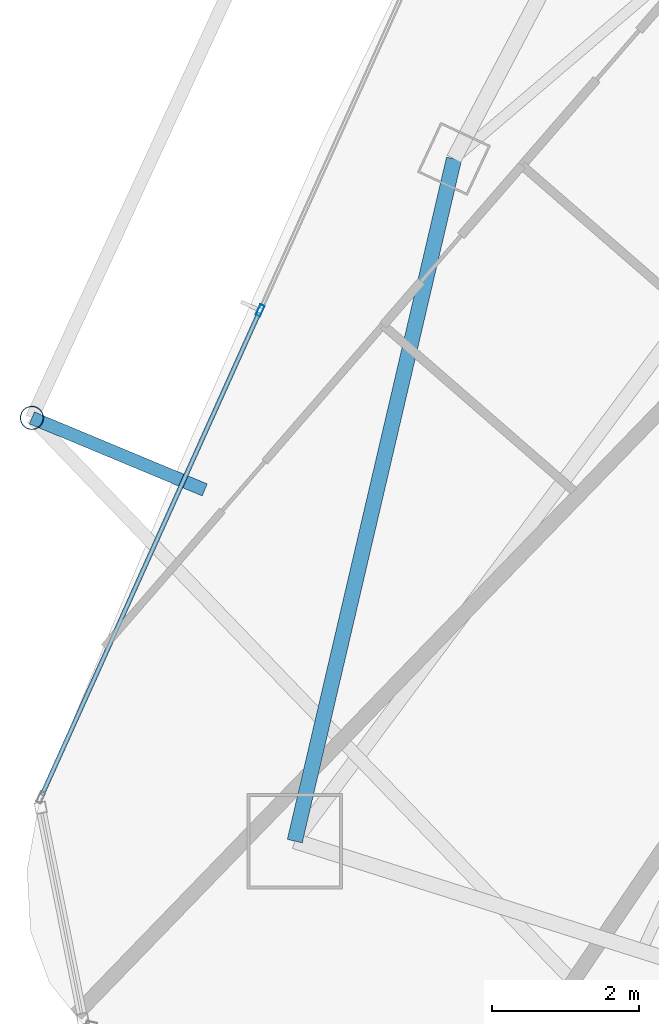
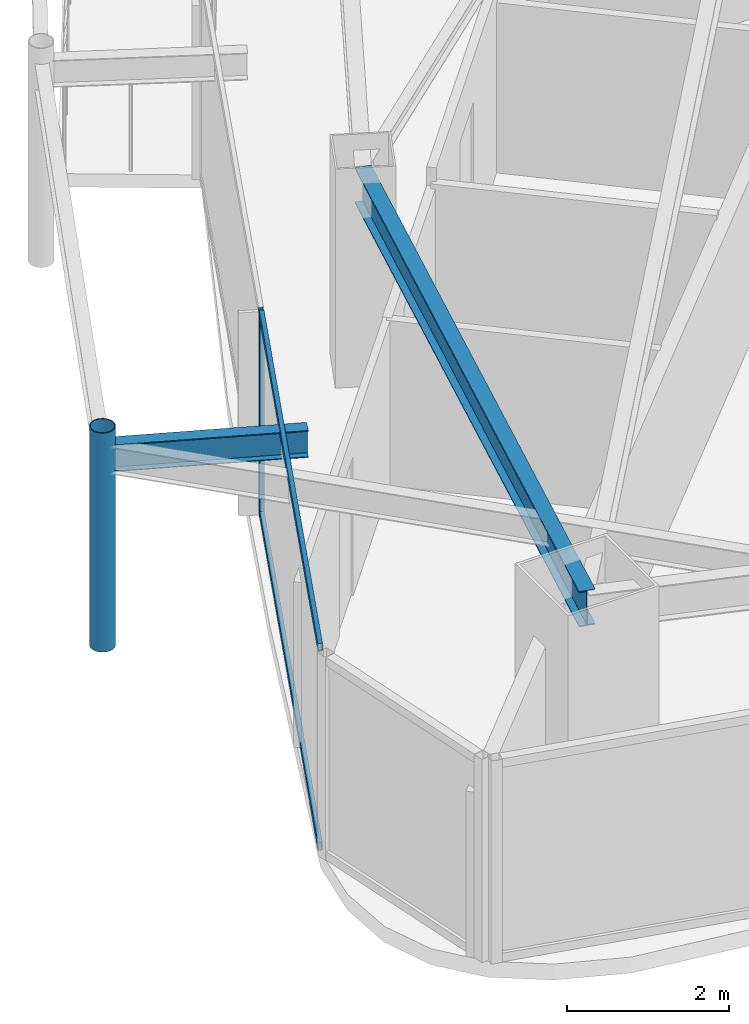
# One storey, part 5 of 29: 4 members, 2 beams, 1 element without a shape of its own.
"""IFC4 building model written with IfcOpenShell, lengths in metres."""

import ifcopenshell
import ifcopenshell.guid

model = None  # the IFC model being written
_history = None  # IfcOwnerHistory: only IFC2X3 demands one
_inside = {}  # id of a spatial element -> (the spatial element, [elements in it])
_under = {}  # id of a project, library or spatial element -> (it, [spatial elements below it])
_declared = {}  # id of a project -> (the project, [libraries it declares])
_typed = {}  # id of a type object -> (the type object, [elements of that type])
_made_of = {}  # id of a material, layer set ... -> (it, [elements and type objects made of it])


def new_model(schema):
    """Start an empty IFC model of exactly this schema.

    Asked for "IFC4X3", IfcOpenShell would pick the latest addendum, in which some entities
    have other attributes; the version numbers below select the first issue.
    IFC2X3 requires an IfcOwnerHistory on every rooted entity: one is made here for all.
    """
    global model, _history
    if schema == "IFC4X3":
        model = ifcopenshell.file(schema_version=(4, 3, 0, 0))
    else:
        model = ifcopenshell.file(schema=schema)
    _inside.clear()
    _under.clear()
    _declared.clear()
    _typed.clear()
    _made_of.clear()
    _history = None
    if model.schema == "IFC2X3":
        org = make("IfcOrganization", Name="unknown")
        user = make(
            "IfcPersonAndOrganization",
            ThePerson=make("IfcPerson", FamilyName="unknown"),
            TheOrganization=org,
        )
        app = make(
            "IfcApplication",
            ApplicationDeveloper=org,
            Version="unknown",
            ApplicationFullName="unknown",
            ApplicationIdentifier="unknown",
        )
        _history = make(
            "IfcOwnerHistory",
            OwningUser=user,
            OwningApplication=app,
            ChangeAction="ADDED",
            CreationDate=0,
        )
    return model


def make(cls, **values):
    """One entity of the class cls with the attributes given. An attribute that is None is left unset."""
    return model.create_entity(
        cls, **{name: value for name, value in values.items() if value is not None}
    )


def rooted(cls, **values):
    """An entity with a GlobalId (a new one), such as an element, a storey or a relation."""
    return make(cls, GlobalId=ifcopenshell.guid.new(), OwnerHistory=_history, **values)


def si_unit(unit_type, name, prefix=None):
    """IfcSIUnit, for example si_unit("LENGTHUNIT", "METRE", prefix="MILLI")."""
    return make("IfcSIUnit", UnitType=unit_type, Prefix=prefix, Name=name)


def assignment(units):
    """IfcUnitAssignment: the units of a project."""
    return None if units is None else make("IfcUnitAssignment", Units=units)


def point(xyz):
    """IfcCartesianPoint."""
    return None if xyz is None else make("IfcCartesianPoint", Coordinates=xyz)


def direction(xyz):
    """IfcDirection."""
    return None if xyz is None else make("IfcDirection", DirectionRatios=xyz)


def frame(location, z_axis=None, x_axis=None):
    """IfcAxis2Placement3D, a coordinate frame: its origin and axes. An axis left out is left unset."""
    return make(
        "IfcAxis2Placement3D",
        Location=point(location),
        Axis=direction(z_axis),
        RefDirection=direction(x_axis),
    )


def frame_2d(location, x_axis=None):
    """IfcAxis2Placement2D, a coordinate frame in the plane: its origin and x axis."""
    return make(
        "IfcAxis2Placement2D", Location=point(location), RefDirection=direction(x_axis)
    )


def origin():
    """The frame at (0, 0, 0) with its axes left unset."""
    return frame((0.0, 0.0, 0.0))


def origin_2d():
    """The frame at (0, 0) in the plane with its x axis left unset."""
    return frame_2d((0.0, 0.0))


def place(relative_to, where):
    """IfcLocalPlacement: puts the frame where relative to a parent placement (None: the world)."""
    return make(
        "IfcLocalPlacement", PlacementRelTo=relative_to, RelativePlacement=where
    )


def context(
    kind, dimensions, precision=None, world=None, true_north=None, identifier=None
):
    """IfcGeometricRepresentationContext, for example the 3D "Model" context."""
    return make(
        "IfcGeometricRepresentationContext",
        ContextIdentifier=identifier,
        ContextType=kind,
        CoordinateSpaceDimension=dimensions,
        Precision=precision,
        WorldCoordinateSystem=world,
        TrueNorth=true_north,
    )


def subcontext(parent, identifier, kind, view, scale=None):
    """IfcGeometricRepresentationSubContext, for example "Body" below "Model"."""
    return make(
        "IfcGeometricRepresentationSubContext",
        ContextIdentifier=identifier,
        ContextType=kind,
        ParentContext=parent,
        TargetScale=scale,
        TargetView=view,
    )


def project(units=None, contexts=None):
    """IfcProject with its units and contexts."""
    return rooted(
        "IfcProject",
        Name="project",
        RepresentationContexts=contexts,
        UnitsInContext=assignment(units),
    )


def spatial(cls, under=None, at=None, **own):
    """A site, building, storey or space (cls), placed at a placement, below another one or the project."""
    s = rooted(cls, ObjectPlacement=at, **own)
    if under is not None:
        _under.setdefault(under.id(), (under, []))[1].append(s)
    return s


def profile(cls, at=None, kind="AREA", **sizes):
    """A parametric profile (cls). Its sizes go by their IFC names, for example OverallWidth=200.0."""
    return make(cls, ProfileType=kind, Position=at, **sizes)


def hollow_rectangle(**sizes):
    """IfcRectangleHollowProfileDef."""
    return profile("IfcRectangleHollowProfileDef", **sizes)


def hollow_circle(**sizes):
    """IfcCircleHollowProfileDef."""
    return profile("IfcCircleHollowProfileDef", **sizes)


def i_section(**sizes):
    """IfcIShapeProfileDef."""
    return profile("IfcIShapeProfileDef", **sizes)


def extrude(swept, where, along, depth):
    """IfcExtrudedAreaSolid: the profile swept, set in the frame where, extruded along a direction by depth."""
    return make(
        "IfcExtrudedAreaSolid",
        SweptArea=swept,
        Position=where,
        ExtrudedDirection=direction(along),
        Depth=depth,
    )


def shape(context_of_items, identifier, shape_type, items):
    """IfcShapeRepresentation: the items that make up one representation, for example the "Body"."""
    return make(
        "IfcShapeRepresentation",
        ContextOfItems=context_of_items,
        RepresentationIdentifier=identifier,
        RepresentationType=shape_type,
        Items=items,
    )


def material(Name=None, Category=None):
    """IfcMaterial."""
    return make("IfcMaterial", Name=Name, Category=Category)


def layer(
    of_material, thickness, ventilated=None, Name=None, Category=None, Priority=None
):
    """IfcMaterialLayer: one layer of a wall or slab, of a material (None: an air gap)."""
    return make(
        "IfcMaterialLayer",
        Material=of_material,
        LayerThickness=thickness,
        IsVentilated=ventilated,
        Name=Name,
        Category=Category,
        Priority=Priority,
    )


def layer_set(layers, Name=None):
    """IfcMaterialLayerSet."""
    return make("IfcMaterialLayerSet", MaterialLayers=layers, LayerSetName=Name)


def material_profile(
    of_material, cross_section, Name=None, Category=None, Priority=None
):
    """IfcMaterialProfile: a cross section and its material."""
    return make(
        "IfcMaterialProfile",
        Name=Name,
        Material=of_material,
        Profile=cross_section,
        Priority=Priority,
        Category=Category,
    )


def profile_set(profiles, Name=None, composite=None):
    """IfcMaterialProfileSet."""
    return make(
        "IfcMaterialProfileSet",
        Name=Name,
        MaterialProfiles=profiles,
        CompositeProfile=composite,
    )


def made_of(thing, what):
    """Note that an element or type object is made of a material, layer set ...; save() writes the relation."""
    if what is not None:
        _made_of.setdefault(what.id(), (what, []))[1].append(thing)
    return thing


def type_object(cls, material=None, **own):
    """A type object (cls), such as IfcWallType, which elements share."""
    return made_of(rooted(cls, **own), material)


def element(
    cls,
    number,
    at=None,
    inside=None,
    cuts=None,
    type_object=None,
    material=None,
    context=None,
    identifier="Body",
    shape_type=None,
    held_by="IfcProductDefinitionShape",
    body=None,
    shapes=None,
    **own,
):
    """One element of the class cls, such as IfcWall. Its Tag is "e" and its number.

    at: its placement. inside: the storey or other place that contains it. cuts: it is an
    opening in that element (IfcRelVoidsElement). A single representation is given by context,
    identifier, shape_type and body (its items); several are given by shapes. held_by: the class
    of the entity that holds the representations. save() writes the other relations.
    """
    e = rooted(cls, Tag="e%d" % number, ObjectPlacement=at, **own)
    if body is not None:
        shapes = [shape(context, identifier, shape_type, body)]
    if shapes is not None:
        e.Representation = make(held_by, Representations=shapes)
    if inside is not None:
        _inside.setdefault(inside.id(), (inside, []))[1].append(e)
    if cuts is not None:
        rooted(
            "IfcRelVoidsElement", RelatingBuildingElement=cuts, RelatedOpeningElement=e
        )
    if type_object is not None:
        _typed.setdefault(type_object.id(), (type_object, []))[1].append(e)
    return made_of(e, material)


def aggregate(whole, parts):
    """IfcRelAggregates: a whole, such as a stair, and the parts it consists of."""
    return rooted("IfcRelAggregates", RelatingObject=whole, RelatedObjects=parts)


def save(model, path):
    """Write the relations noted so far, then the file.

    IfcRelAggregates (storeys below a building ...), IfcRelContainedInSpatialStructure (elements
    in a storey), IfcRelDefinesByType, IfcRelAssociatesMaterial and IfcRelDeclares: one each for
    every whole, place, type object, material and project.
    """
    for whole, parts in _under.values():
        aggregate(whole, parts)
    for where, things in _inside.values():
        rooted(
            "IfcRelContainedInSpatialStructure",
            RelatedElements=things,
            RelatingStructure=where,
        )
    for kind, things in _typed.values():
        rooted("IfcRelDefinesByType", RelatedObjects=things, RelatingType=kind)
    for what, things in _made_of.values():
        rooted("IfcRelAssociatesMaterial", RelatedObjects=things, RelatingMaterial=what)
    for by, libraries in _declared.values():
        rooted("IfcRelDeclares", RelatingContext=by, RelatedDefinitions=libraries)
    model.write(path)


model = new_model("IFC4")

# Units and contexts
model_context = context("Model", 3, precision=1e-05, world=origin(), true_north=direction((0.0, 1.0)))
body_context = subcontext(model_context, "Body", "Model", "MODEL_VIEW")
ifc_project = project(units=[si_unit("LENGTHUNIT", "METRE"), si_unit("AREAUNIT", "SQUARE_METRE"), si_unit("VOLUMEUNIT", "CUBIC_METRE"), si_unit("PLANEANGLEUNIT", "RADIAN"), si_unit("MASSUNIT", "GRAM", prefix="KILO")], contexts=[model_context])

# Site, building, storey
site_placement = place(None, origin())
site = spatial("IfcSite", under=ifc_project, at=site_placement, CompositionType="ELEMENT")
building_placement = place(site_placement, origin())
building = spatial("IfcBuilding", under=site, at=building_placement, Name="Orvanel Arch Residences", CompositionType="ELEMENT")
storey_placement = place(building_placement, frame((0.0, 0.0, 243.64990234375)))
storey = spatial("IfcBuildingStorey", under=building, at=storey_placement, Name="L69", CompositionType="ELEMENT", Elevation=243.64990234375)

# Curtain wall, member
ifc_material_1 = material(Name="Bronze-anodised aluminium AA6063-T6", Category="aluminium")
ifc_layer = layer(ifc_material_1, 0.175048828125)
ifc_layer_set = layer_set([ifc_layer], Name="Bronze-anodised aluminium AA6063-T6")
curtain_wall_type = type_object("IfcCurtainWallType", Name="CW4-HI-SYS", PredefinedType="NOTDEFINED", material=ifc_layer_set)
curtain_wall_placement = place(storey_placement, origin())
curtain_wall = element("IfcCurtainWall", 1, at=curtain_wall_placement, inside=storey, type_object=curtain_wall_type, Name="L69 CW4-HI-SYS Unitised Curtain Wall", PredefinedType="NOTDEFINED")
ifc_material_profile_1 = material_profile(ifc_material_1, hollow_rectangle(XDim=0.06494140625, YDim=0.159912109375, WallThickness=0.00390625, at=origin_2d()), Name="ALU160x65x4")
ifc_profile_set_1 = profile_set([ifc_material_profile_1], Name="Bronze-anodised aluminium AA6063-T6")
member_type_1 = type_object("IfcMemberType", Name="MUL-160x65", PredefinedType="MULLION", material=ifc_profile_set_1)
member_1_placement = place(storey_placement, frame((13.7275390625, 17.57861328125, 0.0), z_axis=(0.0, 0.0, 1.0), x_axis=(0.911827998826, -0.410572405987, 0.0)))
member_1 = element("IfcMember", 2, at=member_1_placement, type_object=member_type_1, Name="CW-S4 mullion 2", PredefinedType="MULLION", context=body_context, shape_type="SweptSolid", body=[
    extrude(hollow_rectangle(XDim=0.06494140625, YDim=0.159912109375, WallThickness=0.00390625, at=origin_2d()), origin(), (0.0, 0.0, 1.0), 3.06005859375),
])

# Beams
ifc_material_2 = material(Name="Structural steel AS/NZS 3679.1 Grade 300 (300 MPa)", Category="steel")
ifc_material_profile_2 = material_profile(ifc_material_2, i_section(OverallWidth=0.177978515625, OverallDepth=0.406005859375, WebThickness=0.0078125, FlangeThickness=0.0126953125, at=origin_2d()), Name="410UB59.7")
ifc_profile_set_2 = profile_set([ifc_material_profile_2], Name="Structural steel AS/NZS 3679.1 Grade 300 (300 MPa)")
beam_type_1 = type_object("IfcBeamType", Name="OB-410UB-EXT", PredefinedType="SPANDREL", material=ifc_profile_set_2)
beam_1_placement = place(storey_placement, frame((12.972900390625, 15.134033203125, 2.857177734375), z_axis=(-0.923059928109, 0.38465617, 0.0), x_axis=(-0.38465617, -0.923059928109, 0.0)))
element("IfcBeam", 3, at=beam_1_placement, inside=storey, type_object=beam_type_1, Name="L69 Outer Frame Radial Tie Beam 04", PredefinedType="SPANDREL", context=body_context, shape_type="SweptSolid", body=[
    extrude(i_section(OverallWidth=0.177978515625, OverallDepth=0.406005859375, WebThickness=0.0078125, FlangeThickness=0.0126953125, at=origin_2d()), origin(), (0.0, 0.0, 1.0), 2.55029296875),
])
ifc_material_profile_3 = material_profile(ifc_material_2, i_section(OverallWidth=0.208984375, OverallDepth=0.532958984375, WebThickness=0.01025390625, FlangeThickness=0.015625, at=origin_2d()), Name="530UB92.4")
ifc_profile_set_3 = profile_set([ifc_material_profile_3], Name="Structural steel AS/NZS 3679.1 Grade 300 (300 MPa)")
beam_type_2 = type_object("IfcBeamType", Name="SP-530UB", PredefinedType="SPANDREL", material=ifc_profile_set_3)
beam_2_placement = place(storey_placement, frame((16.366943359375, 19.64208984375, 2.794189453125), z_axis=(-0.227236087167, -0.973839699688, 0.0), x_axis=(0.973839699688, -0.227236087167, 0.0)))
element("IfcBeam", 4, at=beam_2_placement, inside=storey, type_object=beam_type_2, Name="L69 Perimeter Spandrel Beam 01", PredefinedType="SPANDREL", context=body_context, shape_type="SweptSolid", body=[
    extrude(i_section(OverallWidth=0.208984375, OverallDepth=0.532958984375, WebThickness=0.01025390625, FlangeThickness=0.015625, at=origin_2d()), origin(), (0.0, 0.0, 1.0), 9.54052734375),
])

# Member
ifc_material_3 = material(Name="Structural steel AS/NZS 1163 C350L0 (Grade 350)", Category="steel")
ifc_material_profile_4 = material_profile(ifc_material_3, hollow_circle(Radius=0.162109375, WallThickness=0.0126953125, at=origin_2d()), Name="CHS324x12.7")
ifc_profile_set_4 = profile_set([ifc_material_profile_4], Name="Structural steel AS/NZS 1163 C350L0 (Grade 350)")
member_type_2 = type_object("IfcMemberType", Name="ST-324CHS-EXT", PredefinedType="STRUT", material=ifc_profile_set_4)
member_2_placement = place(storey_placement, frame((10.618896484375, 16.114990234375, 0.0), z_axis=(0.0, 0.0, 1.0), x_axis=(1.0, 0.0, 0.0)))
element("IfcMember", 5, at=member_2_placement, inside=storey, type_object=member_type_2, Name="L69 Outer Perimeter Frame Post 04", PredefinedType="STRUT", context=body_context, shape_type="SweptSolid", body=[
    extrude(hollow_circle(Radius=0.162109375, WallThickness=0.0126953125, at=origin_2d()), origin(), (0.0, 0.0, 1.0), 3.300048828125),
])

ifc_material_profile_5 = material_profile(ifc_material_1, hollow_rectangle(XDim=0.06005859375, YDim=0.1201171875, WallThickness=0.00341796875, at=origin_2d()), Name="ALU120x60x3.5")
ifc_profile_set_5 = profile_set([ifc_material_profile_5], Name="Bronze-anodised aluminium AA6063-T6")
member_type_3 = type_object("IfcMemberType", Name="TRN-120x60", PredefinedType="USERDEFINED", material=ifc_profile_set_5)
member_3_placement = place(storey_placement, frame((13.714111328125, 17.548828125, 0.030029296875), z_axis=(-0.410577324573, -0.911825784098, 0.0), x_axis=(0.911825784098, -0.410577324573, 0.0)))
member_3 = element("IfcMember", 6, at=member_3_placement, type_object=member_type_3, Name="CW-S4 transom 2.1", ObjectType="TRANSOM", PredefinedType="USERDEFINED", context=body_context, shape_type="SweptSolid", body=[
    extrude(hollow_rectangle(XDim=0.06005859375, YDim=0.1201171875, WallThickness=0.00341796875, at=origin_2d()), origin(), (0.0, 0.0, 1.0), 7.2080078125),
])

member_4_placement = place(storey_placement, frame((13.714111328125, 17.548828125, 3.030029296875), z_axis=(-0.410577324573, -0.911825784098, 0.0), x_axis=(0.911825784098, -0.410577324573, 0.0)))
member_4 = element("IfcMember", 7, at=member_4_placement, type_object=member_type_3, Name="CW-S4 transom 2.2", ObjectType="TRANSOM", PredefinedType="USERDEFINED", context=body_context, shape_type="SweptSolid", body=[
    extrude(hollow_rectangle(XDim=0.06005859375, YDim=0.1201171875, WallThickness=0.00341796875, at=origin_2d()), origin(), (0.0, 0.0, 1.0), 7.2080078125),
])

aggregate(curtain_wall, [member_1, member_3, member_4])

save(model, "model.ifc")
